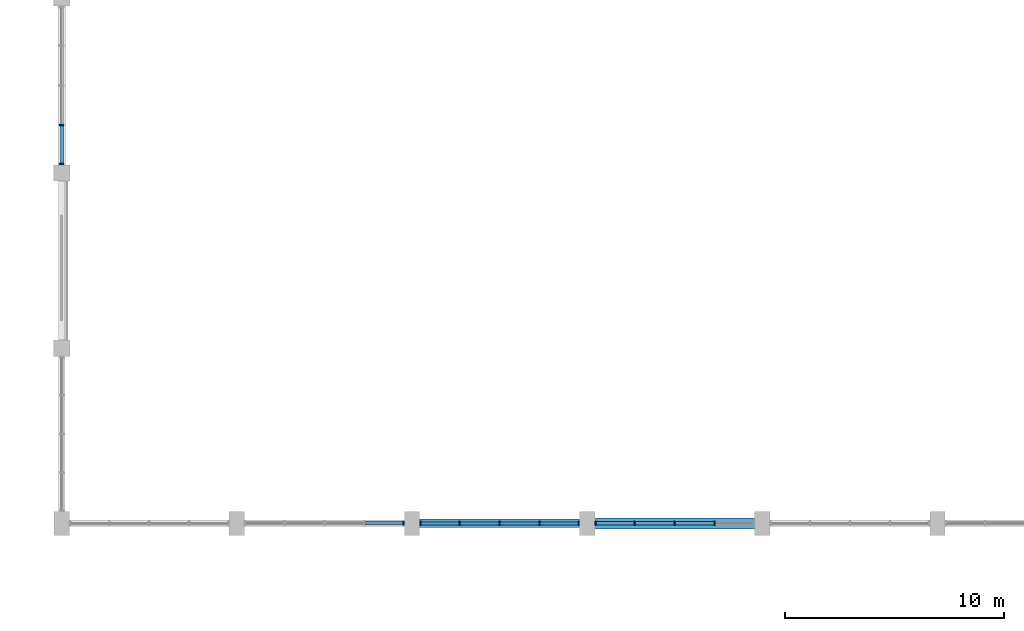
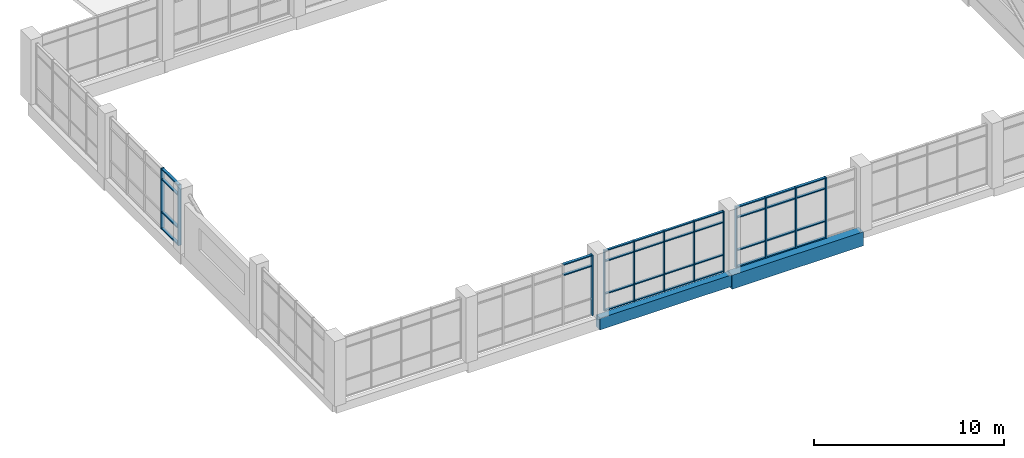
# One storey, part 3 of 72: 46 members, 2 beams, 4 elements without a shape of their own.
"""IFC4 building model written with IfcOpenShell, lengths in metres."""

import ifcopenshell
import ifcopenshell.guid

model = None  # the IFC model being written
_history = None  # IfcOwnerHistory: only IFC2X3 demands one
_inside = {}  # id of a spatial element -> (the spatial element, [elements in it])
_under = {}  # id of a project, library or spatial element -> (it, [spatial elements below it])
_declared = {}  # id of a project -> (the project, [libraries it declares])
_typed = {}  # id of a type object -> (the type object, [elements of that type])
_made_of = {}  # id of a material, layer set ... -> (it, [elements and type objects made of it])


def new_model(schema):
    """Start an empty IFC model of exactly this schema.

    Asked for "IFC4X3", IfcOpenShell would pick the latest addendum, in which some entities
    have other attributes; the version numbers below select the first issue.
    IFC2X3 requires an IfcOwnerHistory on every rooted entity: one is made here for all.
    """
    global model, _history
    if schema == "IFC4X3":
        model = ifcopenshell.file(schema_version=(4, 3, 0, 0))
    else:
        model = ifcopenshell.file(schema=schema)
    _inside.clear()
    _under.clear()
    _declared.clear()
    _typed.clear()
    _made_of.clear()
    _history = None
    if model.schema == "IFC2X3":
        org = make("IfcOrganization", Name="unknown")
        user = make(
            "IfcPersonAndOrganization",
            ThePerson=make("IfcPerson", FamilyName="unknown"),
            TheOrganization=org,
        )
        app = make(
            "IfcApplication",
            ApplicationDeveloper=org,
            Version="unknown",
            ApplicationFullName="unknown",
            ApplicationIdentifier="unknown",
        )
        _history = make(
            "IfcOwnerHistory",
            OwningUser=user,
            OwningApplication=app,
            ChangeAction="ADDED",
            CreationDate=0,
        )
    return model


def make(cls, **values):
    """One entity of the class cls with the attributes given. An attribute that is None is left unset."""
    return model.create_entity(
        cls, **{name: value for name, value in values.items() if value is not None}
    )


def rooted(cls, **values):
    """An entity with a GlobalId (a new one), such as an element, a storey or a relation."""
    return make(cls, GlobalId=ifcopenshell.guid.new(), OwnerHistory=_history, **values)


def si_unit(unit_type, name, prefix=None):
    """IfcSIUnit, for example si_unit("LENGTHUNIT", "METRE", prefix="MILLI")."""
    return make("IfcSIUnit", UnitType=unit_type, Prefix=prefix, Name=name)


def assignment(units):
    """IfcUnitAssignment: the units of a project."""
    return None if units is None else make("IfcUnitAssignment", Units=units)


def point(xyz):
    """IfcCartesianPoint."""
    return None if xyz is None else make("IfcCartesianPoint", Coordinates=xyz)


def direction(xyz):
    """IfcDirection."""
    return None if xyz is None else make("IfcDirection", DirectionRatios=xyz)


def frame(location, z_axis=None, x_axis=None):
    """IfcAxis2Placement3D, a coordinate frame: its origin and axes. An axis left out is left unset."""
    return make(
        "IfcAxis2Placement3D",
        Location=point(location),
        Axis=direction(z_axis),
        RefDirection=direction(x_axis),
    )


def frame_2d(location, x_axis=None):
    """IfcAxis2Placement2D, a coordinate frame in the plane: its origin and x axis."""
    return make(
        "IfcAxis2Placement2D", Location=point(location), RefDirection=direction(x_axis)
    )


def origin():
    """The frame at (0, 0, 0) with its axes left unset."""
    return frame((0.0, 0.0, 0.0))


def origin_2d():
    """The frame at (0, 0) in the plane with its x axis left unset."""
    return frame_2d((0.0, 0.0))


def place(relative_to, where):
    """IfcLocalPlacement: puts the frame where relative to a parent placement (None: the world)."""
    return make(
        "IfcLocalPlacement", PlacementRelTo=relative_to, RelativePlacement=where
    )


def context(
    kind, dimensions, precision=None, world=None, true_north=None, identifier=None
):
    """IfcGeometricRepresentationContext, for example the 3D "Model" context."""
    return make(
        "IfcGeometricRepresentationContext",
        ContextIdentifier=identifier,
        ContextType=kind,
        CoordinateSpaceDimension=dimensions,
        Precision=precision,
        WorldCoordinateSystem=world,
        TrueNorth=true_north,
    )


def subcontext(parent, identifier, kind, view, scale=None):
    """IfcGeometricRepresentationSubContext, for example "Body" below "Model"."""
    return make(
        "IfcGeometricRepresentationSubContext",
        ContextIdentifier=identifier,
        ContextType=kind,
        ParentContext=parent,
        TargetScale=scale,
        TargetView=view,
    )


def project(units=None, contexts=None):
    """IfcProject with its units and contexts."""
    return rooted(
        "IfcProject",
        Name="project",
        RepresentationContexts=contexts,
        UnitsInContext=assignment(units),
    )


def spatial(cls, under=None, at=None, **own):
    """A site, building, storey or space (cls), placed at a placement, below another one or the project."""
    s = rooted(cls, ObjectPlacement=at, **own)
    if under is not None:
        _under.setdefault(under.id(), (under, []))[1].append(s)
    return s


def profile(cls, at=None, kind="AREA", **sizes):
    """A parametric profile (cls). Its sizes go by their IFC names, for example OverallWidth=200.0."""
    return make(cls, ProfileType=kind, Position=at, **sizes)


def rectangle(**sizes):
    """IfcRectangleProfileDef."""
    return profile("IfcRectangleProfileDef", **sizes)


def extrude(swept, where, along, depth):
    """IfcExtrudedAreaSolid: the profile swept, set in the frame where, extruded along a direction by depth."""
    return make(
        "IfcExtrudedAreaSolid",
        SweptArea=swept,
        Position=where,
        ExtrudedDirection=direction(along),
        Depth=depth,
    )


def shape(context_of_items, identifier, shape_type, items):
    """IfcShapeRepresentation: the items that make up one representation, for example the "Body"."""
    return make(
        "IfcShapeRepresentation",
        ContextOfItems=context_of_items,
        RepresentationIdentifier=identifier,
        RepresentationType=shape_type,
        Items=items,
    )


def material(Name=None, Category=None):
    """IfcMaterial."""
    return make("IfcMaterial", Name=Name, Category=Category)


def material_profile(
    of_material, cross_section, Name=None, Category=None, Priority=None
):
    """IfcMaterialProfile: a cross section and its material."""
    return make(
        "IfcMaterialProfile",
        Name=Name,
        Material=of_material,
        Profile=cross_section,
        Priority=Priority,
        Category=Category,
    )


def profile_set(profiles, Name=None, composite=None):
    """IfcMaterialProfileSet."""
    return make(
        "IfcMaterialProfileSet",
        Name=Name,
        MaterialProfiles=profiles,
        CompositeProfile=composite,
    )


def made_of(thing, what):
    """Note that an element or type object is made of a material, layer set ...; save() writes the relation."""
    if what is not None:
        _made_of.setdefault(what.id(), (what, []))[1].append(thing)
    return thing


def type_object(cls, material=None, **own):
    """A type object (cls), such as IfcWallType, which elements share."""
    return made_of(rooted(cls, **own), material)


def element(
    cls,
    number,
    at=None,
    inside=None,
    cuts=None,
    type_object=None,
    material=None,
    context=None,
    identifier="Body",
    shape_type=None,
    held_by="IfcProductDefinitionShape",
    body=None,
    shapes=None,
    **own,
):
    """One element of the class cls, such as IfcWall. Its Tag is "e" and its number.

    at: its placement. inside: the storey or other place that contains it. cuts: it is an
    opening in that element (IfcRelVoidsElement). A single representation is given by context,
    identifier, shape_type and body (its items); several are given by shapes. held_by: the class
    of the entity that holds the representations. save() writes the other relations.
    """
    e = rooted(cls, Tag="e%d" % number, ObjectPlacement=at, **own)
    if body is not None:
        shapes = [shape(context, identifier, shape_type, body)]
    if shapes is not None:
        e.Representation = make(held_by, Representations=shapes)
    if inside is not None:
        _inside.setdefault(inside.id(), (inside, []))[1].append(e)
    if cuts is not None:
        rooted(
            "IfcRelVoidsElement", RelatingBuildingElement=cuts, RelatedOpeningElement=e
        )
    if type_object is not None:
        _typed.setdefault(type_object.id(), (type_object, []))[1].append(e)
    return made_of(e, material)


def aggregate(whole, parts):
    """IfcRelAggregates: a whole, such as a stair, and the parts it consists of."""
    return rooted("IfcRelAggregates", RelatingObject=whole, RelatedObjects=parts)


def save(model, path):
    """Write the relations noted so far, then the file.

    IfcRelAggregates (storeys below a building ...), IfcRelContainedInSpatialStructure (elements
    in a storey), IfcRelDefinesByType, IfcRelAssociatesMaterial and IfcRelDeclares: one each for
    every whole, place, type object, material and project.
    """
    for whole, parts in _under.values():
        aggregate(whole, parts)
    for where, things in _inside.values():
        rooted(
            "IfcRelContainedInSpatialStructure",
            RelatedElements=things,
            RelatingStructure=where,
        )
    for kind, things in _typed.values():
        rooted("IfcRelDefinesByType", RelatedObjects=things, RelatingType=kind)
    for what, things in _made_of.values():
        rooted("IfcRelAssociatesMaterial", RelatedObjects=things, RelatingMaterial=what)
    for by, libraries in _declared.values():
        rooted("IfcRelDeclares", RelatingContext=by, RelatedDefinitions=libraries)
    model.write(path)


model = new_model("IFC4")

# Units and contexts
model_context = context("Model", 3, precision=1e-05, world=origin(), true_north=direction((0.0, 1.0)))
body_context = subcontext(model_context, "Body", "Model", "MODEL_VIEW")
ifc_project = project(units=[si_unit("LENGTHUNIT", "METRE"), si_unit("AREAUNIT", "SQUARE_METRE"), si_unit("VOLUMEUNIT", "CUBIC_METRE"), si_unit("PLANEANGLEUNIT", "RADIAN"), si_unit("MASSUNIT", "GRAM", prefix="KILO")], contexts=[model_context])

# Site, building, storey
site_placement = place(None, origin())
site = spatial("IfcSite", under=ifc_project, at=site_placement, CompositionType="ELEMENT")
building_placement = place(site_placement, origin())
building = spatial("IfcBuilding", under=site, at=building_placement, Name="Tenunan Teduh Sports Hall", CompositionType="ELEMENT")
storey_placement = place(building_placement, frame((0.0, 0.0, 15.0)))
storey = spatial("IfcBuildingStorey", under=building, at=storey_placement, Name="L03", CompositionType="ELEMENT", Elevation=15.0)

# Beams
ifc_material_1 = material(Name="Concrete C40/50", Category="concrete")
ifc_material_profile_1 = material_profile(ifc_material_1, rectangle(XDim=0.39990234375, YDim=0.75, at=origin_2d()), Name="RCB 400x750")
ifc_profile_set_1 = profile_set([ifc_material_profile_1], Name="Concrete C40/50")
beam_type_1 = type_object("IfcBeamType", Name="BM-RC-400x750", PredefinedType="BEAM", material=ifc_profile_set_1)
beam_1_placement = place(storey_placement, frame((22.0, 14.0, -0.614990234375), z_axis=(1.0, 0.0, 0.0), x_axis=(0.0, 1.0, 0.0)))
element("IfcBeam", 1, at=beam_1_placement, inside=storey, type_object=beam_type_1, Name="BM-B-09-L03-1812", PredefinedType="BEAM", context=body_context, shape_type="SweptSolid", body=[
    extrude(rectangle(XDim=0.39990234375, YDim=0.75, at=origin_2d()), origin(), (0.0, 0.0, 1.0), 8.0),
])
ifc_material_2 = material(Name="Concrete C40/50", Category="concrete")
ifc_material_profile_2 = material_profile(ifc_material_2, rectangle(XDim=0.5, YDim=0.89990234375, at=origin_2d()), Name="RCB 500x900")
ifc_profile_set_2 = profile_set([ifc_material_profile_2], Name="Concrete C40/50")
beam_type_2 = type_object("IfcBeamType", Name="BM-RC-500x900", PredefinedType="BEAM", material=ifc_profile_set_2)
beam_2_placement = place(storey_placement, frame((30.0, 14.0, -0.68994140625), z_axis=(1.0, 0.0, 0.0), x_axis=(0.0, 1.0, 0.0)))
element("IfcBeam", 2, at=beam_2_placement, inside=storey, type_object=beam_type_2, Name="BM-B-15-L03-1813", PredefinedType="BEAM", context=body_context, shape_type="SweptSolid", body=[
    extrude(rectangle(XDim=0.5, YDim=0.89990234375, at=origin_2d()), origin(), (0.0, 0.0, 1.0), 8.0),
])

# Curtain wall, members
ifc_material_3 = material(Name="Anodised aluminium", Category="aluminium")
curtain_wall_type = type_object("IfcCurtainWallType", Name="CW-UNIT-2", PredefinedType="NOTDEFINED", material=ifc_material_3)
curtain_wall_1_placement = place(storey_placement, origin())
curtain_wall_1 = element("IfcCurtainWall", 3, at=curtain_wall_1_placement, inside=storey, type_object=curtain_wall_type, Name="CW-CWM-175-L03-078", PredefinedType="NOTDEFINED")
ifc_material_4 = material(Name="Anodised aluminium", Category="aluminium")
ifc_material_profile_3 = material_profile(ifc_material_4, rectangle(XDim=0.06494140625, YDim=0.175048828125, at=origin_2d()), Name="CWM 65x175")
ifc_profile_set_3 = profile_set([ifc_material_profile_3], Name="Anodised aluminium")
member_type_1 = type_object("IfcMemberType", Name="CWM-175", PredefinedType="MULLION", material=ifc_profile_set_3)
member_1_placement = place(storey_placement, frame((22.382568359375, 14.0, 0.0), z_axis=(0.0, 0.0, 1.0), x_axis=(1.0, 0.0, 0.0)))
member_1 = element("IfcMember", 4, at=member_1_placement, type_object=member_type_1, Name="CW-02 mullion 1", PredefinedType="MULLION", context=body_context, shape_type="SweptSolid", body=[
    extrude(rectangle(XDim=0.06494140625, YDim=0.175048828125, at=origin_2d()), origin(), (0.0, 0.0, 1.0), 3.89990234375),
])
member_2_placement = place(storey_placement, frame((24.175048828125, 14.0, 0.0), z_axis=(0.0, 0.0, 1.0), x_axis=(1.0, 0.0, 0.0)))
member_2 = element("IfcMember", 5, at=member_2_placement, type_object=member_type_1, Name="CW-02 mullion 2", PredefinedType="MULLION", context=body_context, shape_type="SweptSolid", body=[
    extrude(rectangle(XDim=0.06494140625, YDim=0.175048828125, at=origin_2d()), origin(), (0.0, 0.0, 1.0), 3.89990234375),
])
member_3_placement = place(storey_placement, frame((26.0, 14.0, 0.0), z_axis=(0.0, 0.0, 1.0), x_axis=(1.0, 0.0, 0.0)))
member_3 = element("IfcMember", 6, at=member_3_placement, type_object=member_type_1, Name="CW-02 mullion 3", PredefinedType="MULLION", context=body_context, shape_type="SweptSolid", body=[
    extrude(rectangle(XDim=0.06494140625, YDim=0.175048828125, at=origin_2d()), origin(), (0.0, 0.0, 1.0), 3.89990234375),
])
member_4_placement = place(storey_placement, frame((27.824951171875, 14.0, 0.0), z_axis=(0.0, 0.0, 1.0), x_axis=(1.0, 0.0, 0.0)))
member_4 = element("IfcMember", 7, at=member_4_placement, type_object=member_type_1, Name="CW-02 mullion 4", PredefinedType="MULLION", context=body_context, shape_type="SweptSolid", body=[
    extrude(rectangle(XDim=0.06494140625, YDim=0.175048828125, at=origin_2d()), origin(), (0.0, 0.0, 1.0), 3.89990234375),
])
member_5_placement = place(storey_placement, frame((29.617431640625, 14.0, 0.0), z_axis=(0.0, 0.0, 1.0), x_axis=(1.0, 0.0, 0.0)))
member_5 = element("IfcMember", 8, at=member_5_placement, type_object=member_type_1, Name="CW-02 mullion 5", PredefinedType="MULLION", context=body_context, shape_type="SweptSolid", body=[
    extrude(rectangle(XDim=0.06494140625, YDim=0.175048828125, at=origin_2d()), origin(), (0.0, 0.0, 1.0), 3.89990234375),
])

# Curtain wall, member
curtain_wall_2_placement = place(storey_placement, origin())
curtain_wall_2 = element("IfcCurtainWall", 9, at=curtain_wall_2_placement, inside=storey, type_object=curtain_wall_type, Name="CW-CWM-200-L03-076", PredefinedType="NOTDEFINED")
ifc_material_5 = material(Name="Anodised aluminium", Category="aluminium")
ifc_material_profile_4 = material_profile(ifc_material_5, rectangle(XDim=0.070068359375, YDim=0.199951171875, at=origin_2d()), Name="CWM 70x200")
ifc_profile_set_4 = profile_set([ifc_material_profile_4], Name="Anodised aluminium")
member_type_2 = type_object("IfcMemberType", Name="CWM-200", PredefinedType="MULLION", material=ifc_profile_set_4)
member_6_placement = place(storey_placement, frame((21.614990234375, 14.0, 0.0), z_axis=(0.0, 0.0, 1.0), x_axis=(1.0, 0.0, 0.0)))
member_6 = element("IfcMember", 10, at=member_6_placement, type_object=member_type_2, Name="CW-02 mullion 5", PredefinedType="MULLION", context=body_context, shape_type="SweptSolid", body=[
    extrude(rectangle(XDim=0.070068359375, YDim=0.199951171875, at=origin_2d()), origin(), (0.0, 0.0, 1.0), 3.89990234375),
])

# Curtain wall, members
curtain_wall_3_placement = place(storey_placement, origin())
curtain_wall_3 = element("IfcCurtainWall", 11, at=curtain_wall_3_placement, inside=storey, type_object=curtain_wall_type, Name="CW-CWM-200-L03-080", PredefinedType="NOTDEFINED")
member_7_placement = place(storey_placement, frame((30.385009765625, 14.0, 0.0), z_axis=(0.0, 0.0, 1.0), x_axis=(1.0, 0.0, 0.0)))
member_7 = element("IfcMember", 12, at=member_7_placement, type_object=member_type_2, Name="CW-02 mullion 1", PredefinedType="MULLION", context=body_context, shape_type="SweptSolid", body=[
    extrude(rectangle(XDim=0.070068359375, YDim=0.199951171875, at=origin_2d()), origin(), (0.0, 0.0, 1.0), 3.89990234375),
])
member_8_placement = place(storey_placement, frame((32.175048828125, 14.0, 0.0), z_axis=(0.0, 0.0, 1.0), x_axis=(1.0, 0.0, 0.0)))
member_8 = element("IfcMember", 13, at=member_8_placement, type_object=member_type_2, Name="CW-02 mullion 2", PredefinedType="MULLION", context=body_context, shape_type="SweptSolid", body=[
    extrude(rectangle(XDim=0.070068359375, YDim=0.199951171875, at=origin_2d()), origin(), (0.0, 0.0, 1.0), 3.89990234375),
])
member_9_placement = place(storey_placement, frame((34.0, 14.0, 0.0), z_axis=(0.0, 0.0, 1.0), x_axis=(1.0, 0.0, 0.0)))
member_9 = element("IfcMember", 14, at=member_9_placement, type_object=member_type_2, Name="CW-02 mullion 3", PredefinedType="MULLION", context=body_context, shape_type="SweptSolid", body=[
    extrude(rectangle(XDim=0.070068359375, YDim=0.199951171875, at=origin_2d()), origin(), (0.0, 0.0, 1.0), 3.89990234375),
])
member_10_placement = place(storey_placement, frame((35.824951171875, 14.0, 0.0), z_axis=(0.0, 0.0, 1.0), x_axis=(1.0, 0.0, 0.0)))
member_10 = element("IfcMember", 15, at=member_10_placement, type_object=member_type_2, Name="CW-02 mullion 4", PredefinedType="MULLION", context=body_context, shape_type="SweptSolid", body=[
    extrude(rectangle(XDim=0.070068359375, YDim=0.199951171875, at=origin_2d()), origin(), (0.0, 0.0, 1.0), 3.89990234375),
])

curtain_wall_4_placement = place(storey_placement, origin())
curtain_wall_4 = element("IfcCurtainWall", 16, at=curtain_wall_4_placement, inside=storey, type_object=curtain_wall_type, Name="CW-CWM-200-L03-088", PredefinedType="NOTDEFINED")
member_11_placement = place(storey_placement, frame((6.0, 30.409912109375, 0.0), z_axis=(0.0, 0.0, 1.0), x_axis=(0.0, 1.0, 0.0)))
member_11 = element("IfcMember", 17, at=member_11_placement, type_object=member_type_2, Name="CW-02 mullion 1", PredefinedType="MULLION", context=body_context, shape_type="SweptSolid", body=[
    extrude(rectangle(XDim=0.070068359375, YDim=0.199951171875, at=origin_2d()), origin(), (0.0, 0.0, 1.0), 3.89990234375),
])
member_12_placement = place(storey_placement, frame((6.0, 32.1875, 0.0), z_axis=(0.0, 0.0, 1.0), x_axis=(0.0, 1.0, 0.0)))
member_12 = element("IfcMember", 18, at=member_12_placement, type_object=member_type_2, Name="CW-02 mullion 2", PredefinedType="MULLION", context=body_context, shape_type="SweptSolid", body=[
    extrude(rectangle(XDim=0.070068359375, YDim=0.199951171875, at=origin_2d()), origin(), (0.0, 0.0, 1.0), 3.89990234375),
])

# Member
ifc_material_6 = material(Name="Anodised aluminium", Category="aluminium")
ifc_material_profile_5 = material_profile(ifc_material_6, rectangle(XDim=0.06494140625, YDim=0.139892578125, at=origin_2d()), Name="CWT 65x140")
ifc_profile_set_5 = profile_set([ifc_material_profile_5], Name="Anodised aluminium")
member_type_3 = type_object("IfcMemberType", Name="CWT-150", PredefinedType="USERDEFINED", material=ifc_profile_set_5)
member_13_placement = place(storey_placement, frame((22.4150390625, 14.0, 0.032470703125), z_axis=(1.0, 0.0, 0.0), x_axis=(0.0, 0.0, 1.0)))
member_13 = element("IfcMember", 19, at=member_13_placement, type_object=member_type_3, Name="CW-02 transom 1.1", ObjectType="TRANSOM", PredefinedType="USERDEFINED", context=body_context, shape_type="SweptSolid", body=[
    extrude(rectangle(XDim=0.06494140625, YDim=0.139892578125, at=origin_2d()), origin(), (0.0, 0.0, 1.0), 1.7275390625),
])

member_14_placement = place(storey_placement, frame((22.4150390625, 14.0, 1.10009765625), z_axis=(1.0, 0.0, 0.0), x_axis=(0.0, 0.0, 1.0)))
member_14 = element("IfcMember", 20, at=member_14_placement, type_object=member_type_3, Name="CW-02 transom 1.2", ObjectType="TRANSOM", PredefinedType="USERDEFINED", context=body_context, shape_type="SweptSolid", body=[
    extrude(rectangle(XDim=0.06494140625, YDim=0.139892578125, at=origin_2d()), origin(), (0.0, 0.0, 1.0), 1.7275390625),
])

member_15_placement = place(storey_placement, frame((22.4150390625, 14.0, 3.199951171875), z_axis=(1.0, 0.0, 0.0), x_axis=(0.0, 0.0, 1.0)))
member_15 = element("IfcMember", 21, at=member_15_placement, type_object=member_type_3, Name="CW-02 transom 1.3", ObjectType="TRANSOM", PredefinedType="USERDEFINED", context=body_context, shape_type="SweptSolid", body=[
    extrude(rectangle(XDim=0.06494140625, YDim=0.139892578125, at=origin_2d()), origin(), (0.0, 0.0, 1.0), 1.7275390625),
])

member_16_placement = place(storey_placement, frame((22.4150390625, 14.0, 3.867431640625), z_axis=(1.0, 0.0, 0.0), x_axis=(0.0, 0.0, 1.0)))
member_16 = element("IfcMember", 22, at=member_16_placement, type_object=member_type_3, Name="CW-02 transom 1.4", ObjectType="TRANSOM", PredefinedType="USERDEFINED", context=body_context, shape_type="SweptSolid", body=[
    extrude(rectangle(XDim=0.06494140625, YDim=0.139892578125, at=origin_2d()), origin(), (0.0, 0.0, 1.0), 1.7275390625),
])

member_17_placement = place(storey_placement, frame((24.20751953125, 14.0, 0.032470703125), z_axis=(1.0, 0.0, 0.0), x_axis=(0.0, 0.0, 1.0)))
member_17 = element("IfcMember", 23, at=member_17_placement, type_object=member_type_3, Name="CW-02 transom 2.1", ObjectType="TRANSOM", PredefinedType="USERDEFINED", context=body_context, shape_type="SweptSolid", body=[
    extrude(rectangle(XDim=0.06494140625, YDim=0.139892578125, at=origin_2d()), origin(), (0.0, 0.0, 1.0), 1.760009765625),
])

member_18_placement = place(storey_placement, frame((24.20751953125, 14.0, 1.10009765625), z_axis=(1.0, 0.0, 0.0), x_axis=(0.0, 0.0, 1.0)))
member_18 = element("IfcMember", 24, at=member_18_placement, type_object=member_type_3, Name="CW-02 transom 2.2", ObjectType="TRANSOM", PredefinedType="USERDEFINED", context=body_context, shape_type="SweptSolid", body=[
    extrude(rectangle(XDim=0.06494140625, YDim=0.139892578125, at=origin_2d()), origin(), (0.0, 0.0, 1.0), 1.760009765625),
])

member_19_placement = place(storey_placement, frame((24.20751953125, 14.0, 3.199951171875), z_axis=(1.0, 0.0, 0.0), x_axis=(0.0, 0.0, 1.0)))
member_19 = element("IfcMember", 25, at=member_19_placement, type_object=member_type_3, Name="CW-02 transom 2.3", ObjectType="TRANSOM", PredefinedType="USERDEFINED", context=body_context, shape_type="SweptSolid", body=[
    extrude(rectangle(XDim=0.06494140625, YDim=0.139892578125, at=origin_2d()), origin(), (0.0, 0.0, 1.0), 1.760009765625),
])

member_20_placement = place(storey_placement, frame((24.20751953125, 14.0, 3.867431640625), z_axis=(1.0, 0.0, 0.0), x_axis=(0.0, 0.0, 1.0)))
member_20 = element("IfcMember", 26, at=member_20_placement, type_object=member_type_3, Name="CW-02 transom 2.4", ObjectType="TRANSOM", PredefinedType="USERDEFINED", context=body_context, shape_type="SweptSolid", body=[
    extrude(rectangle(XDim=0.06494140625, YDim=0.139892578125, at=origin_2d()), origin(), (0.0, 0.0, 1.0), 1.760009765625),
])

member_21_placement = place(storey_placement, frame((26.032470703125, 14.0, 0.032470703125), z_axis=(1.0, 0.0, 0.0), x_axis=(0.0, 0.0, 1.0)))
member_21 = element("IfcMember", 27, at=member_21_placement, type_object=member_type_3, Name="CW-02 transom 3.1", ObjectType="TRANSOM", PredefinedType="USERDEFINED", context=body_context, shape_type="SweptSolid", body=[
    extrude(rectangle(XDim=0.06494140625, YDim=0.139892578125, at=origin_2d()), origin(), (0.0, 0.0, 1.0), 1.760009765625),
])

member_22_placement = place(storey_placement, frame((26.032470703125, 14.0, 1.10009765625), z_axis=(1.0, 0.0, 0.0), x_axis=(0.0, 0.0, 1.0)))
member_22 = element("IfcMember", 28, at=member_22_placement, type_object=member_type_3, Name="CW-02 transom 3.2", ObjectType="TRANSOM", PredefinedType="USERDEFINED", context=body_context, shape_type="SweptSolid", body=[
    extrude(rectangle(XDim=0.06494140625, YDim=0.139892578125, at=origin_2d()), origin(), (0.0, 0.0, 1.0), 1.760009765625),
])

member_23_placement = place(storey_placement, frame((26.032470703125, 14.0, 3.199951171875), z_axis=(1.0, 0.0, 0.0), x_axis=(0.0, 0.0, 1.0)))
member_23 = element("IfcMember", 29, at=member_23_placement, type_object=member_type_3, Name="CW-02 transom 3.3", ObjectType="TRANSOM", PredefinedType="USERDEFINED", context=body_context, shape_type="SweptSolid", body=[
    extrude(rectangle(XDim=0.06494140625, YDim=0.139892578125, at=origin_2d()), origin(), (0.0, 0.0, 1.0), 1.760009765625),
])

member_24_placement = place(storey_placement, frame((26.032470703125, 14.0, 3.867431640625), z_axis=(1.0, 0.0, 0.0), x_axis=(0.0, 0.0, 1.0)))
member_24 = element("IfcMember", 30, at=member_24_placement, type_object=member_type_3, Name="CW-02 transom 3.4", ObjectType="TRANSOM", PredefinedType="USERDEFINED", context=body_context, shape_type="SweptSolid", body=[
    extrude(rectangle(XDim=0.06494140625, YDim=0.139892578125, at=origin_2d()), origin(), (0.0, 0.0, 1.0), 1.760009765625),
])

member_25_placement = place(storey_placement, frame((27.857421875, 14.0, 0.032470703125), z_axis=(1.0, 0.0, 0.0), x_axis=(0.0, 0.0, 1.0)))
member_25 = element("IfcMember", 31, at=member_25_placement, type_object=member_type_3, Name="CW-02 transom 4.1", ObjectType="TRANSOM", PredefinedType="USERDEFINED", context=body_context, shape_type="SweptSolid", body=[
    extrude(rectangle(XDim=0.06494140625, YDim=0.139892578125, at=origin_2d()), origin(), (0.0, 0.0, 1.0), 1.7275390625),
])

member_26_placement = place(storey_placement, frame((27.857421875, 14.0, 1.10009765625), z_axis=(1.0, 0.0, 0.0), x_axis=(0.0, 0.0, 1.0)))
member_26 = element("IfcMember", 32, at=member_26_placement, type_object=member_type_3, Name="CW-02 transom 4.2", ObjectType="TRANSOM", PredefinedType="USERDEFINED", context=body_context, shape_type="SweptSolid", body=[
    extrude(rectangle(XDim=0.06494140625, YDim=0.139892578125, at=origin_2d()), origin(), (0.0, 0.0, 1.0), 1.7275390625),
])

member_27_placement = place(storey_placement, frame((27.857421875, 14.0, 3.199951171875), z_axis=(1.0, 0.0, 0.0), x_axis=(0.0, 0.0, 1.0)))
member_27 = element("IfcMember", 33, at=member_27_placement, type_object=member_type_3, Name="CW-02 transom 4.3", ObjectType="TRANSOM", PredefinedType="USERDEFINED", context=body_context, shape_type="SweptSolid", body=[
    extrude(rectangle(XDim=0.06494140625, YDim=0.139892578125, at=origin_2d()), origin(), (0.0, 0.0, 1.0), 1.7275390625),
])

member_28_placement = place(storey_placement, frame((27.857421875, 14.0, 3.867431640625), z_axis=(1.0, 0.0, 0.0), x_axis=(0.0, 0.0, 1.0)))
member_28 = element("IfcMember", 34, at=member_28_placement, type_object=member_type_3, Name="CW-02 transom 4.4", ObjectType="TRANSOM", PredefinedType="USERDEFINED", context=body_context, shape_type="SweptSolid", body=[
    extrude(rectangle(XDim=0.06494140625, YDim=0.139892578125, at=origin_2d()), origin(), (0.0, 0.0, 1.0), 1.7275390625),
])

aggregate(curtain_wall_1, [member_1, member_2, member_3, member_4, member_5, member_13, member_14, member_15, member_16, member_17, member_18, member_19, member_20, member_21, member_22, member_23, member_24, member_25, member_26, member_27, member_28])

ifc_material_7 = material(Name="Anodised aluminium", Category="aluminium")
ifc_material_profile_6 = material_profile(ifc_material_7, rectangle(XDim=0.070068359375, YDim=0.159912109375, at=origin_2d()), Name="CWT 70x160")
ifc_profile_set_6 = profile_set([ifc_material_profile_6], Name="Anodised aluminium")
member_type_4 = type_object("IfcMemberType", Name="CWT-200", PredefinedType="USERDEFINED", material=ifc_profile_set_6)
member_29_placement = place(storey_placement, frame((19.860107421875, 14.0, 3.199951171875), z_axis=(1.0, 0.0, 0.0), x_axis=(0.0, 0.0, 1.0)))
member_29 = element("IfcMember", 35, at=member_29_placement, type_object=member_type_4, Name="CW-02 transom 4.3", ObjectType="TRANSOM", PredefinedType="USERDEFINED", context=body_context, shape_type="SweptSolid", body=[
    extrude(rectangle(XDim=0.070068359375, YDim=0.159912109375, at=origin_2d()), origin(), (0.0, 0.0, 1.0), 1.719970703125),
])

member_30_placement = place(storey_placement, frame((19.860107421875, 14.0, 3.864990234375), z_axis=(1.0, 0.0, 0.0), x_axis=(0.0, 0.0, 1.0)))
member_30 = element("IfcMember", 36, at=member_30_placement, type_object=member_type_4, Name="CW-02 transom 4.4", ObjectType="TRANSOM", PredefinedType="USERDEFINED", context=body_context, shape_type="SweptSolid", body=[
    extrude(rectangle(XDim=0.070068359375, YDim=0.159912109375, at=origin_2d()), origin(), (0.0, 0.0, 1.0), 1.719970703125),
])

aggregate(curtain_wall_2, [member_6, member_29, member_30])

member_31_placement = place(storey_placement, frame((30.419921875, 14.0, 0.034912109375), z_axis=(1.0, 0.0, 0.0), x_axis=(0.0, 0.0, 1.0)))
member_31 = element("IfcMember", 37, at=member_31_placement, type_object=member_type_4, Name="CW-02 transom 1.1", ObjectType="TRANSOM", PredefinedType="USERDEFINED", context=body_context, shape_type="SweptSolid", body=[
    extrude(rectangle(XDim=0.070068359375, YDim=0.159912109375, at=origin_2d()), origin(), (0.0, 0.0, 1.0), 1.719970703125),
])

member_32_placement = place(storey_placement, frame((30.419921875, 14.0, 1.10009765625), z_axis=(1.0, 0.0, 0.0), x_axis=(0.0, 0.0, 1.0)))
member_32 = element("IfcMember", 38, at=member_32_placement, type_object=member_type_4, Name="CW-02 transom 1.2", ObjectType="TRANSOM", PredefinedType="USERDEFINED", context=body_context, shape_type="SweptSolid", body=[
    extrude(rectangle(XDim=0.070068359375, YDim=0.159912109375, at=origin_2d()), origin(), (0.0, 0.0, 1.0), 1.719970703125),
])

member_33_placement = place(storey_placement, frame((30.419921875, 14.0, 3.199951171875), z_axis=(1.0, 0.0, 0.0), x_axis=(0.0, 0.0, 1.0)))
member_33 = element("IfcMember", 39, at=member_33_placement, type_object=member_type_4, Name="CW-02 transom 1.3", ObjectType="TRANSOM", PredefinedType="USERDEFINED", context=body_context, shape_type="SweptSolid", body=[
    extrude(rectangle(XDim=0.070068359375, YDim=0.159912109375, at=origin_2d()), origin(), (0.0, 0.0, 1.0), 1.719970703125),
])

member_34_placement = place(storey_placement, frame((30.419921875, 14.0, 3.864990234375), z_axis=(1.0, 0.0, 0.0), x_axis=(0.0, 0.0, 1.0)))
member_34 = element("IfcMember", 40, at=member_34_placement, type_object=member_type_4, Name="CW-02 transom 1.4", ObjectType="TRANSOM", PredefinedType="USERDEFINED", context=body_context, shape_type="SweptSolid", body=[
    extrude(rectangle(XDim=0.070068359375, YDim=0.159912109375, at=origin_2d()), origin(), (0.0, 0.0, 1.0), 1.719970703125),
])

member_35_placement = place(storey_placement, frame((32.2099609375, 14.0, 0.034912109375), z_axis=(1.0, 0.0, 0.0), x_axis=(0.0, 0.0, 1.0)))
member_35 = element("IfcMember", 41, at=member_35_placement, type_object=member_type_4, Name="CW-02 transom 2.1", ObjectType="TRANSOM", PredefinedType="USERDEFINED", context=body_context, shape_type="SweptSolid", body=[
    extrude(rectangle(XDim=0.070068359375, YDim=0.159912109375, at=origin_2d()), origin(), (0.0, 0.0, 1.0), 1.755126953125),
])

member_36_placement = place(storey_placement, frame((32.2099609375, 14.0, 1.10009765625), z_axis=(1.0, 0.0, 0.0), x_axis=(0.0, 0.0, 1.0)))
member_36 = element("IfcMember", 42, at=member_36_placement, type_object=member_type_4, Name="CW-02 transom 2.2", ObjectType="TRANSOM", PredefinedType="USERDEFINED", context=body_context, shape_type="SweptSolid", body=[
    extrude(rectangle(XDim=0.070068359375, YDim=0.159912109375, at=origin_2d()), origin(), (0.0, 0.0, 1.0), 1.755126953125),
])

member_37_placement = place(storey_placement, frame((32.2099609375, 14.0, 3.199951171875), z_axis=(1.0, 0.0, 0.0), x_axis=(0.0, 0.0, 1.0)))
member_37 = element("IfcMember", 43, at=member_37_placement, type_object=member_type_4, Name="CW-02 transom 2.3", ObjectType="TRANSOM", PredefinedType="USERDEFINED", context=body_context, shape_type="SweptSolid", body=[
    extrude(rectangle(XDim=0.070068359375, YDim=0.159912109375, at=origin_2d()), origin(), (0.0, 0.0, 1.0), 1.755126953125),
])

member_38_placement = place(storey_placement, frame((32.2099609375, 14.0, 3.864990234375), z_axis=(1.0, 0.0, 0.0), x_axis=(0.0, 0.0, 1.0)))
member_38 = element("IfcMember", 44, at=member_38_placement, type_object=member_type_4, Name="CW-02 transom 2.4", ObjectType="TRANSOM", PredefinedType="USERDEFINED", context=body_context, shape_type="SweptSolid", body=[
    extrude(rectangle(XDim=0.070068359375, YDim=0.159912109375, at=origin_2d()), origin(), (0.0, 0.0, 1.0), 1.755126953125),
])

member_39_placement = place(storey_placement, frame((34.034912109375, 14.0, 0.034912109375), z_axis=(1.0, 0.0, 0.0), x_axis=(0.0, 0.0, 1.0)))
member_39 = element("IfcMember", 45, at=member_39_placement, type_object=member_type_4, Name="CW-02 transom 3.1", ObjectType="TRANSOM", PredefinedType="USERDEFINED", context=body_context, shape_type="SweptSolid", body=[
    extrude(rectangle(XDim=0.070068359375, YDim=0.159912109375, at=origin_2d()), origin(), (0.0, 0.0, 1.0), 1.755126953125),
])

member_40_placement = place(storey_placement, frame((34.034912109375, 14.0, 1.10009765625), z_axis=(1.0, 0.0, 0.0), x_axis=(0.0, 0.0, 1.0)))
member_40 = element("IfcMember", 46, at=member_40_placement, type_object=member_type_4, Name="CW-02 transom 3.2", ObjectType="TRANSOM", PredefinedType="USERDEFINED", context=body_context, shape_type="SweptSolid", body=[
    extrude(rectangle(XDim=0.070068359375, YDim=0.159912109375, at=origin_2d()), origin(), (0.0, 0.0, 1.0), 1.755126953125),
])

member_41_placement = place(storey_placement, frame((34.034912109375, 14.0, 3.199951171875), z_axis=(1.0, 0.0, 0.0), x_axis=(0.0, 0.0, 1.0)))
member_41 = element("IfcMember", 47, at=member_41_placement, type_object=member_type_4, Name="CW-02 transom 3.3", ObjectType="TRANSOM", PredefinedType="USERDEFINED", context=body_context, shape_type="SweptSolid", body=[
    extrude(rectangle(XDim=0.070068359375, YDim=0.159912109375, at=origin_2d()), origin(), (0.0, 0.0, 1.0), 1.755126953125),
])

member_42_placement = place(storey_placement, frame((34.034912109375, 14.0, 3.864990234375), z_axis=(1.0, 0.0, 0.0), x_axis=(0.0, 0.0, 1.0)))
member_42 = element("IfcMember", 48, at=member_42_placement, type_object=member_type_4, Name="CW-02 transom 3.4", ObjectType="TRANSOM", PredefinedType="USERDEFINED", context=body_context, shape_type="SweptSolid", body=[
    extrude(rectangle(XDim=0.070068359375, YDim=0.159912109375, at=origin_2d()), origin(), (0.0, 0.0, 1.0), 1.755126953125),
])

aggregate(curtain_wall_3, [member_7, member_8, member_9, member_10, member_31, member_32, member_33, member_34, member_35, member_36, member_37, member_38, member_39, member_40, member_41, member_42])

member_43_placement = place(storey_placement, frame((6.0, 30.445068359375, 0.034912109375), z_axis=(0.0, 1.0, 0.0), x_axis=(0.0, 0.0, 1.0)))
member_43 = element("IfcMember", 49, at=member_43_placement, type_object=member_type_4, Name="CW-02 transom 1.1", ObjectType="TRANSOM", PredefinedType="USERDEFINED", context=body_context, shape_type="SweptSolid", body=[
    extrude(rectangle(XDim=0.070068359375, YDim=0.159912109375, at=origin_2d()), origin(), (0.0, 0.0, 1.0), 1.70751953125),
])

member_44_placement = place(storey_placement, frame((6.0, 30.445068359375, 1.10009765625), z_axis=(0.0, 1.0, 0.0), x_axis=(0.0, 0.0, 1.0)))
member_44 = element("IfcMember", 50, at=member_44_placement, type_object=member_type_4, Name="CW-02 transom 1.2", ObjectType="TRANSOM", PredefinedType="USERDEFINED", context=body_context, shape_type="SweptSolid", body=[
    extrude(rectangle(XDim=0.070068359375, YDim=0.159912109375, at=origin_2d()), origin(), (0.0, 0.0, 1.0), 1.70751953125),
])

member_45_placement = place(storey_placement, frame((6.0, 30.445068359375, 3.199951171875), z_axis=(0.0, 1.0, 0.0), x_axis=(0.0, 0.0, 1.0)))
member_45 = element("IfcMember", 51, at=member_45_placement, type_object=member_type_4, Name="CW-02 transom 1.3", ObjectType="TRANSOM", PredefinedType="USERDEFINED", context=body_context, shape_type="SweptSolid", body=[
    extrude(rectangle(XDim=0.070068359375, YDim=0.159912109375, at=origin_2d()), origin(), (0.0, 0.0, 1.0), 1.70751953125),
])

member_46_placement = place(storey_placement, frame((6.0, 30.445068359375, 3.864990234375), z_axis=(0.0, 1.0, 0.0), x_axis=(0.0, 0.0, 1.0)))
member_46 = element("IfcMember", 52, at=member_46_placement, type_object=member_type_4, Name="CW-02 transom 1.4", ObjectType="TRANSOM", PredefinedType="USERDEFINED", context=body_context, shape_type="SweptSolid", body=[
    extrude(rectangle(XDim=0.070068359375, YDim=0.159912109375, at=origin_2d()), origin(), (0.0, 0.0, 1.0), 1.70751953125),
])

aggregate(curtain_wall_4, [member_11, member_12, member_43, member_44, member_45, member_46])

save(model, "model.ifc")
